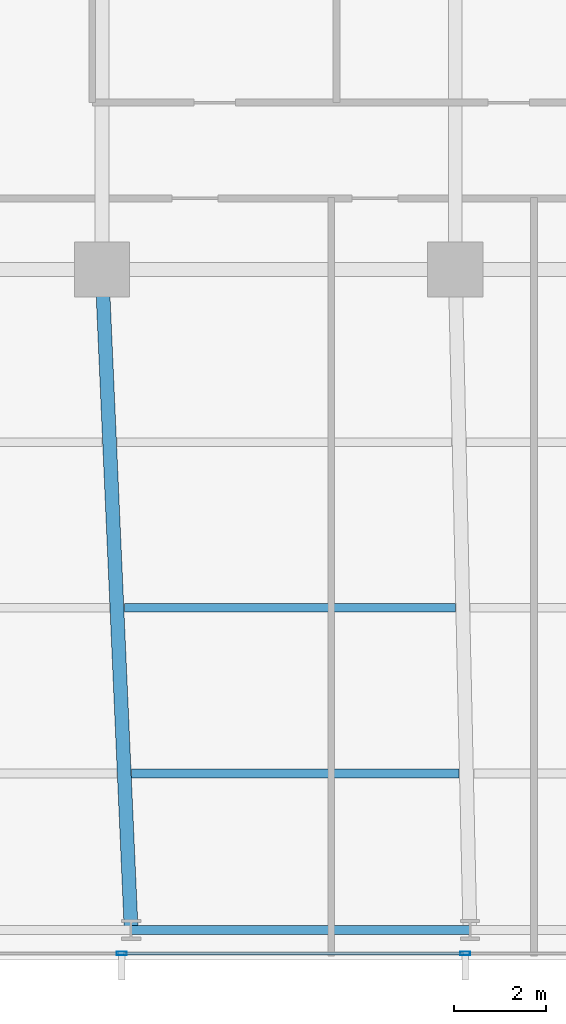
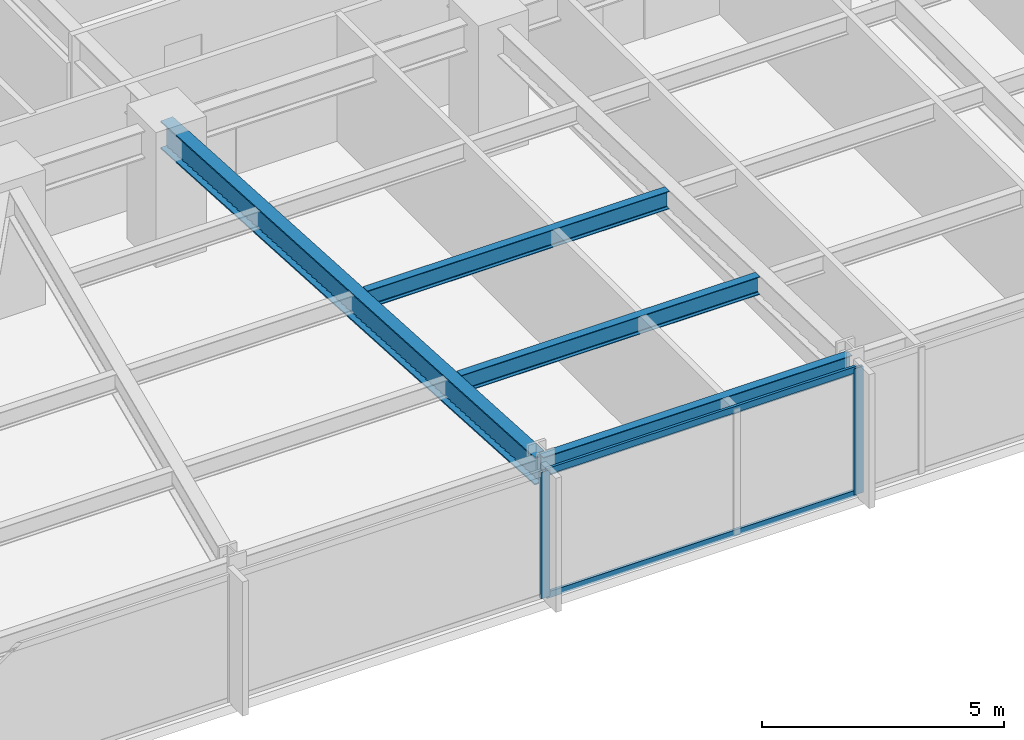
# One storey, part 5 of 32: 4 beams, 4 members, 1 element without a shape of its own.
"""IFC4 building model written with IfcOpenShell, lengths in metres."""

from ifc_helpers import new_model, si_unit, direction, frame, origin, origin_2d, place, context, subcontext, project, spatial, hollow_rectangle, i_section, extrude, material, material_profile, profile_set, type_object, element, aggregate, save


model = new_model("IFC4")

# Units and contexts
model_context = context("Model", 3, precision=1e-05, world=origin(), true_north=direction((0.0, 1.0)))
body_context = subcontext(model_context, "Body", "Model", "MODEL_VIEW")
ifc_project = project(units=[si_unit("LENGTHUNIT", "METRE"), si_unit("AREAUNIT", "SQUARE_METRE"), si_unit("VOLUMEUNIT", "CUBIC_METRE"), si_unit("PLANEANGLEUNIT", "RADIAN"), si_unit("MASSUNIT", "GRAM", prefix="KILO")], contexts=[model_context])

# Site, building, storey
site_placement = place(None, origin())
site = spatial("IfcSite", under=ifc_project, at=site_placement, CompositionType="ELEMENT")
building_placement = place(site_placement, origin())
building = spatial("IfcBuilding", under=site, at=building_placement, Name="Yelkora Congress Tower", CompositionType="ELEMENT")
storey_placement = place(building_placement, frame((0.0, 0.0, 57.60009765625)))
storey = spatial("IfcBuildingStorey", under=building, at=storey_placement, Name="L14", CompositionType="ELEMENT", Elevation=57.60009765625)

# Beams
ifc_material_1 = material(Name="Steel S355J2", Category="steel")
ifc_material_profile_1 = material_profile(ifc_material_1, i_section(OverallWidth=0.300048828125, OverallDepth=0.699951171875, WebThickness=0.01708984375, FlangeThickness=0.031982421875, FilletRadius=0.027099609375, at=origin_2d()), Name="HEB 700")
ifc_profile_set_1 = profile_set([ifc_material_profile_1], Name="Steel S355J2")
beam_type_1 = type_object("IfcBeamType", Name="BM-GIRD-HEB700", PredefinedType="BEAM", material=ifc_profile_set_1)
beam_1_placement = place(storey_placement, frame((23.675048828125, 10.85009765625, 2.829833984375), z_axis=(-0.044208738849, 0.999022315771, 0.0), x_axis=(-0.999022315771, -0.044208738849, 0.0)))
element("IfcBeam", 1, at=beam_1_placement, inside=storey, type_object=beam_type_1, Name="L14 Primary Frame Girder S03", PredefinedType="BEAM", context=body_context, shape_type="SweptSolid", body=[
    extrude(i_section(OverallWidth=0.300048828125, OverallDepth=0.699951171875, WebThickness=0.01708984375, FlangeThickness=0.031982421875, FilletRadius=0.027099609375, at=origin_2d()), origin(), (0.0, 0.0, 1.0), 14.364013671875),
])
ifc_material_profile_2 = material_profile(ifc_material_1, i_section(OverallWidth=0.18994140625, OverallDepth=0.449951171875, WebThickness=0.009521484375, FlangeThickness=0.0146484375, FilletRadius=0.02099609375, at=origin_2d()), Name="IPE 450")
ifc_profile_set_2 = profile_set([ifc_material_profile_2], Name="Steel S355J2")
beam_type_2 = type_object("IfcBeamType", Name="BM-JOIST-IPE450", PredefinedType="JOIST", material=ifc_profile_set_2)
beam_2_placement = place(storey_placement, frame((23.6845703125, 14.25, 2.954833984375), z_axis=(1.0, 0.0, 0.0), x_axis=(0.0, 1.0, 0.0)))
element("IfcBeam", 2, at=beam_2_placement, inside=storey, type_object=beam_type_2, Name="L14 Composite Floor Joist 3", PredefinedType="JOIST", context=body_context, shape_type="SweptSolid", body=[
    extrude(i_section(OverallWidth=0.18994140625, OverallDepth=0.449951171875, WebThickness=0.009521484375, FlangeThickness=0.0146484375, FilletRadius=0.02099609375, at=origin_2d()), origin(), (0.0, 0.0, 1.0), 7.11767578125),
])
beam_3_placement = place(storey_placement, frame((23.525146484375, 17.85009765625, 2.954833984375), z_axis=(1.0, 0.0, 0.0), x_axis=(0.0, 1.0, 0.0)))
element("IfcBeam", 3, at=beam_3_placement, inside=storey, type_object=beam_type_2, Name="L14 Composite Floor Joist 11", PredefinedType="JOIST", context=body_context, shape_type="SweptSolid", body=[
    extrude(i_section(OverallWidth=0.18994140625, OverallDepth=0.449951171875, WebThickness=0.009521484375, FlangeThickness=0.0146484375, FilletRadius=0.02099609375, at=origin_2d()), origin(), (0.0, 0.0, 1.0), 7.197509765625),
])
ifc_material_profile_3 = material_profile(ifc_material_1, i_section(OverallWidth=0.199951171875, OverallDepth=0.5, WebThickness=0.01025390625, FlangeThickness=0.01611328125, FilletRadius=0.02099609375, at=origin_2d()), Name="IPE 500")
ifc_profile_set_3 = profile_set([ifc_material_profile_3], Name="Steel S355J2")
beam_type_3 = type_object("IfcBeamType", Name="BM-SPAN-IPE500", PredefinedType="SPANDREL", material=ifc_profile_set_3)
beam_4_placement = place(storey_placement, frame((23.675048828125, 10.85009765625, 2.929931640625), z_axis=(1.0, 0.0, 0.0), x_axis=(0.0, 1.0, 0.0)))
element("IfcBeam", 4, at=beam_4_placement, inside=storey, type_object=beam_type_3, Name="L14 Perimeter Beam 4", PredefinedType="SPANDREL", context=body_context, shape_type="SweptSolid", body=[
    extrude(i_section(OverallWidth=0.199951171875, OverallDepth=0.5, WebThickness=0.01025390625, FlangeThickness=0.01611328125, FilletRadius=0.02099609375, at=origin_2d()), origin(), (0.0, 0.0, 1.0), 7.362548828125),
])

# Curtain wall, members
ifc_material_2 = material(Name="Anodised aluminium and insulated glass", Category="aluminium")
curtain_wall_type = type_object("IfcCurtainWallType", Name="CW-SYS-B1", PredefinedType="NOTDEFINED", material=ifc_material_2)
curtain_wall_placement = place(storey_placement, origin())
curtain_wall = element("IfcCurtainWall", 5, at=curtain_wall_placement, inside=storey, type_object=curtain_wall_type, Name="L14 Unitised Curtain Wall 20", PredefinedType="NOTDEFINED")
ifc_material_3 = material(Name="Anodised aluminium 6063-T6", Category="aluminium")
ifc_material_profile_4 = material_profile(ifc_material_3, hollow_rectangle(XDim=0.074951171875, YDim=0.219970703125, WallThickness=0.0048828125, at=origin_2d()), Name="ALU 75x220x5")
ifc_profile_set_4 = profile_set([ifc_material_profile_4], Name="Anodised aluminium 6063-T6")
member_type_1 = type_object("IfcMemberType", Name="MEM-ML-B1", PredefinedType="MULLION", material=ifc_profile_set_4)
member_1_placement = place(storey_placement, frame((30.93505859375, 10.340087890625, 0.0), z_axis=(0.0, 0.0, 1.0), x_axis=(0.0, -1.0, 0.0)))
member_1 = element("IfcMember", 6, at=member_1_placement, type_object=member_type_1, Name="CW-B1 mullion 6", PredefinedType="MULLION", context=body_context, shape_type="SweptSolid", body=[
    extrude(hollow_rectangle(XDim=0.074951171875, YDim=0.219970703125, WallThickness=0.0048828125, at=origin_2d()), origin(), (0.0, 0.0, 1.0), 3.179931640625),
])
member_2_placement = place(storey_placement, frame((23.469970703125, 10.340087890625, 0.0), z_axis=(0.0, 0.0, 1.0), x_axis=(0.0, -1.0, 0.0)))
member_2 = element("IfcMember", 7, at=member_2_placement, type_object=member_type_1, Name="CW-B1 mullion 7", PredefinedType="MULLION", context=body_context, shape_type="SweptSolid", body=[
    extrude(hollow_rectangle(XDim=0.074951171875, YDim=0.219970703125, WallThickness=0.0048828125, at=origin_2d()), origin(), (0.0, 0.0, 1.0), 3.179931640625),
])
ifc_material_profile_5 = material_profile(ifc_material_3, hollow_rectangle(XDim=0.06494140625, YDim=0.159912109375, WallThickness=0.00390625, at=origin_2d()), Name="ALU 65x160x4")
ifc_profile_set_5 = profile_set([ifc_material_profile_5], Name="Anodised aluminium 6063-T6")
member_type_2 = type_object("IfcMemberType", Name="MEM-TR-B1", PredefinedType="USERDEFINED", material=ifc_profile_set_5)
member_3_placement = place(storey_placement, frame((30.8974609375, 10.340087890625, 0.032470703125), z_axis=(-1.0, 0.0, 0.0), x_axis=(0.0, -1.0, 0.0)))
member_3 = element("IfcMember", 8, at=member_3_placement, type_object=member_type_2, Name="CW-B1 transom 6.1", ObjectType="TRANSOM", PredefinedType="USERDEFINED", context=body_context, shape_type="SweptSolid", body=[
    extrude(hollow_rectangle(XDim=0.06494140625, YDim=0.159912109375, WallThickness=0.00390625, at=origin_2d()), origin(), (0.0, 0.0, 1.0), 7.389892578125),
])
member_4_placement = place(storey_placement, frame((30.8974609375, 10.340087890625, 3.1474609375), z_axis=(-1.0, 0.0, 0.0), x_axis=(0.0, -1.0, 0.0)))
member_4 = element("IfcMember", 9, at=member_4_placement, type_object=member_type_2, Name="CW-B1 transom 6.2", ObjectType="TRANSOM", PredefinedType="USERDEFINED", context=body_context, shape_type="SweptSolid", body=[
    extrude(hollow_rectangle(XDim=0.06494140625, YDim=0.159912109375, WallThickness=0.00390625, at=origin_2d()), origin(), (0.0, 0.0, 1.0), 7.389892578125),
])
aggregate(curtain_wall, [member_1, member_2, member_3, member_4])

save(model, "model.ifc")
